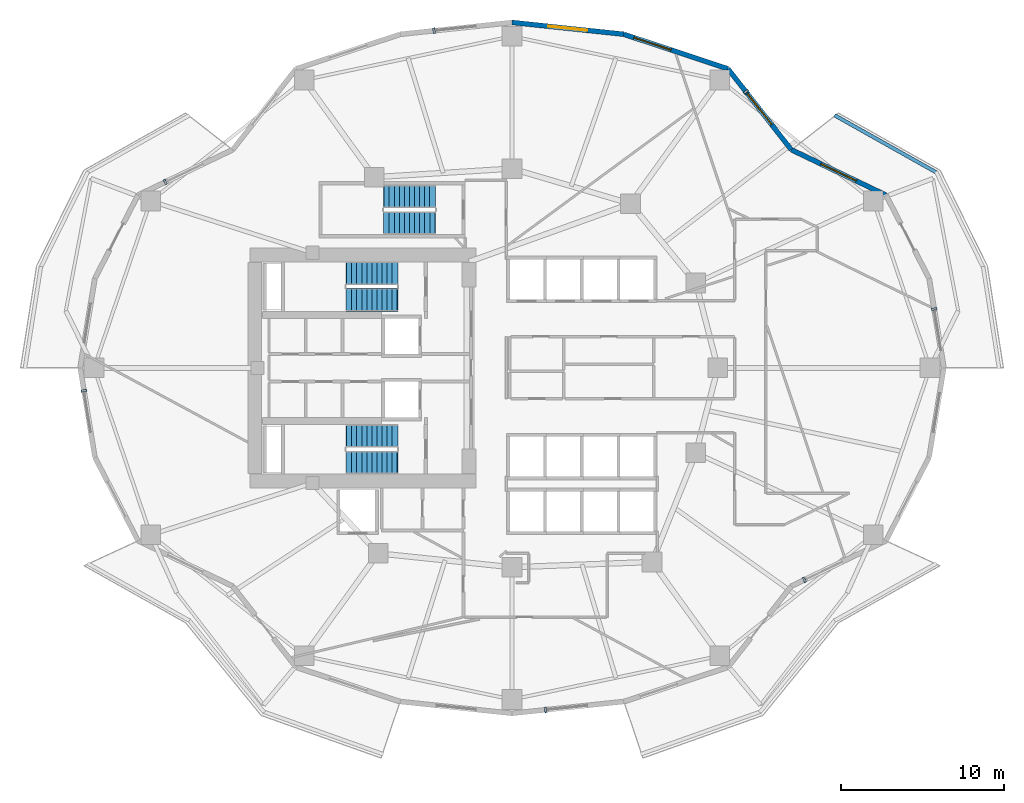
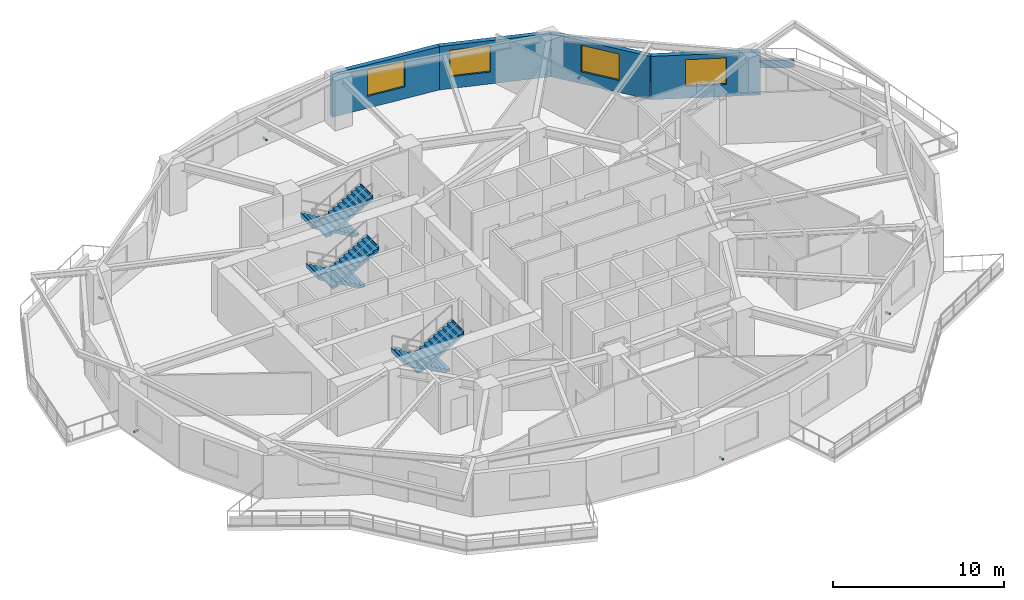
# One storey, part 7 of 11: 7 discrete accessories, 6 stair flights, 5 walls, 4 windows, 4 openings, 3 elements without a shape of their own.
"""IFC4 building model written with IfcOpenShell, lengths in metres."""

from ifc_helpers import new_model, si_unit, direction, frame, frame_2d, origin, origin_2d, place, context, subcontext, project, spatial, polyline, rectangle, outline, extrude, material, layer, layer_set, type_object, element, fill, aggregate, save


model = new_model("IFC4")

# Units and contexts
model_context = context("Model", 3, precision=1e-05, world=origin(), true_north=direction((0.0, 1.0)))
body_context = subcontext(model_context, "Body", "Model", "MODEL_VIEW")
ifc_project = project(units=[si_unit("LENGTHUNIT", "METRE"), si_unit("AREAUNIT", "SQUARE_METRE"), si_unit("VOLUMEUNIT", "CUBIC_METRE"), si_unit("PLANEANGLEUNIT", "RADIAN"), si_unit("MASSUNIT", "GRAM", prefix="KILO")], contexts=[model_context])

# Site, building, storey
site_placement = place(None, origin())
site = spatial("IfcSite", under=ifc_project, at=site_placement, CompositionType="ELEMENT")
building_placement = place(site_placement, origin())
building = spatial("IfcBuilding", under=site, at=building_placement, Name="Kolvaren Gate Tower and Convention Centre", CompositionType="ELEMENT")
storey_placement = place(building_placement, frame((0.0, 0.0, 88.10009765625)))
storey = spatial("IfcBuildingStorey", under=building, at=storey_placement, Name="L21", CompositionType="ELEMENT", Elevation=88.10009765625)

# Wall
ifc_material_1 = material(Name="Piedmont Cream Honed Limestone Cladding", Category="masonry")
ifc_layer_1 = layer(ifc_material_1, 0.219970703125)
ifc_layer_set_1 = layer_set([ifc_layer_1], Name="Piedmont Cream Honed Limestone Cladding")
wall_type_1 = type_object("IfcWallType", Name="ARCH-WL-PLANTER-220", PredefinedType="PARAPET", material=ifc_layer_set_1)
wall_1_placement = place(storey_placement, frame((49.867919921875, 42.469482421875, 0.0), z_axis=(0.0, 0.0, 1.0), x_axis=(0.871775109335, -0.489906275468, 0.0)))
element("IfcWall", 1, at=wall_1_placement, inside=storey, type_object=wall_type_1, Name="Vertical-Forest Balcony Stone Planter Kerb PK-L21-1.3", PredefinedType="PARAPET", context=body_context, shape_type="SweptSolid", body=[
    extrude(rectangle(XDim=7.152099609375, YDim=0.219970703125, at=frame_2d((3.576171875, 0.0))), origin(), (0.0, 0.0, 1.0), 0.52001953125),
])

# Wall, opening, window
ifc_layer_2 = layer(ifc_material_1, 0.300048828125)
ifc_layer_set_2 = layer_set([ifc_layer_2], Name="Piedmont Cream Honed Limestone Cladding")
wall_type_2 = type_object("IfcWallType", Name="ARCH-WL-STONE-300", PredefinedType="SOLIDWALL", material=ifc_layer_set_2)
wall_2_placement = place(storey_placement, frame((47.223876953125, 40.360107421875, 0.0), z_axis=(0.0, 0.0, 1.0), x_axis=(0.901354747727, -0.433081538224, 0.0)))
wall_2 = element("IfcWall", 2, at=wall_2_placement, inside=storey, type_object=wall_type_2, Name="Tower L21 Honed Stone Spandrel Wall EW-02", PredefinedType="SOLIDWALL", context=body_context, shape_type="SweptSolid", body=[
    extrude(rectangle(XDim=6.430908203125, YDim=0.300048828125, at=frame_2d((3.21533203125, 0.0))), origin(), (0.0, 0.0, 1.0), 3.093017578125),
])
opening_1_placement = place(wall_2_placement, frame((2.014892578125, 0.0, 0.85009765625)))
opening_1 = element("IfcOpeningElement", 3, at=opening_1_placement, cuts=wall_2, Name="Opening W-01", PredefinedType="OPENING", context=body_context, shape_type="SweptSolid", body=[
    extrude(rectangle(XDim=2.39990234375, YDim=1.89990234375, at=frame_2d((1.199951171875, 0.949951171875))), frame((0.0, 0.159912109375, 0.0), z_axis=(0.0, -1.0, 0.0), x_axis=(1.0, 0.0, 0.0)), (0.0, 0.0, 1.0), 0.320068359375),
])
ifc_material_2 = material(Name="Low-E Triple Insulated Glazing Unit 44 mm", Category="glass")
window_type = type_object("IfcWindowType", Name="ARCH-WN-OFF-2400", PartitioningType="SINGLE_PANEL", PredefinedType="WINDOW", material=ifc_material_2)
window_1_placement = place(opening_1_placement, origin())
window_1 = element("IfcWindow", 4, at=window_1_placement, inside=storey, type_object=window_type, Name="Tower L21 Punched Stone Facade Window W-02", OverallHeight=1.89990234375, OverallWidth=2.39990234375, PartitioningType="SINGLE_PANEL", PredefinedType="WINDOW", context=body_context, shape_type="SweptSolid", body=[
    extrude(rectangle(XDim=2.39990234375, YDim=1.89990234375, at=frame_2d((1.199951171875, 0.949951171875))), frame((0.0, 0.030029296875, 0.0), z_axis=(0.0, -1.0, 0.0), x_axis=(1.0, 0.0, 0.0)), (0.0, 0.0, 1.0), 0.06005859375),
])
fill(opening_1, window_1)

wall_3_placement = place(storey_placement, frame((43.34375, 45.31640625, 0.0), z_axis=(0.0, 0.0, 1.0), x_axis=(0.616434798832, -0.78740595552, 0.0)))
wall_3 = element("IfcWall", 5, at=wall_3_placement, inside=storey, type_object=wall_type_2, Name="Tower L21 Honed Stone Spandrel Wall EW-03", PredefinedType="SOLIDWALL", context=body_context, shape_type="SweptSolid", body=[
    extrude(rectangle(XDim=6.29443359375, YDim=0.300048828125, at=frame_2d((3.147216796875, 0.0))), origin(), (0.0, 0.0, 1.0), 3.093017578125),
])
opening_2_placement = place(wall_3_placement, frame((1.947021484375, 0.0, 0.85009765625)))
opening_2 = element("IfcOpeningElement", 6, at=opening_2_placement, cuts=wall_3, Name="Opening W-01", PredefinedType="OPENING", context=body_context, shape_type="SweptSolid", body=[
    extrude(rectangle(XDim=2.39990234375, YDim=1.89990234375, at=frame_2d((1.199951171875, 0.949951171875))), frame((0.0, 0.159912109375, 0.0), z_axis=(0.0, -1.0, 0.0), x_axis=(1.0, 0.0, 0.0)), (0.0, 0.0, 1.0), 0.320068359375),
])
window_2_placement = place(opening_2_placement, origin())
window_2 = element("IfcWindow", 7, at=window_2_placement, inside=storey, type_object=window_type, Name="Tower L21 Punched Stone Facade Window W-03", OverallHeight=1.89990234375, OverallWidth=2.39990234375, PartitioningType="SINGLE_PANEL", PredefinedType="WINDOW", context=body_context, shape_type="SweptSolid", body=[
    extrude(rectangle(XDim=2.39990234375, YDim=1.89990234375, at=frame_2d((1.199951171875, 0.949951171875))), frame((0.0, 0.030029296875, 0.0), z_axis=(0.0, -1.0, 0.0), x_axis=(1.0, 0.0, 0.0)), (0.0, 0.0, 1.0), 0.06005859375),
])
fill(opening_2, window_2)

wall_4_placement = place(storey_placement, frame((36.967529296875, 47.42919921875, 0.0), z_axis=(0.0, 0.0, 1.0), x_axis=(0.949245153629, -0.314537181127, 0.0)))
wall_4 = element("IfcWall", 8, at=wall_4_placement, inside=storey, type_object=wall_type_2, Name="Tower L21 Honed Stone Spandrel Wall EW-04", PredefinedType="SOLIDWALL", context=body_context, shape_type="SweptSolid", body=[
    extrude(rectangle(XDim=6.717041015625, YDim=0.300048828125, at=frame_2d((3.3583984375, 0.0))), origin(), (0.0, 0.0, 1.0), 3.093017578125),
])
opening_3_placement = place(wall_4_placement, frame((0.64990234375, 0.0, 0.85009765625)))
opening_3 = element("IfcOpeningElement", 9, at=opening_3_placement, cuts=wall_4, Name="Opening W-01", PredefinedType="OPENING", context=body_context, shape_type="SweptSolid", body=[
    extrude(rectangle(XDim=2.39990234375, YDim=1.89990234375, at=frame_2d((1.199951171875, 0.949951171875))), frame((0.0, 0.159912109375, 0.0), z_axis=(0.0, -1.0, 0.0), x_axis=(1.0, 0.0, 0.0)), (0.0, 0.0, 1.0), 0.320068359375),
])
window_3_placement = place(opening_3_placement, origin())
window_3 = element("IfcWindow", 10, at=window_3_placement, inside=storey, type_object=window_type, Name="Tower L21 Punched Stone Facade Window W-04", OverallHeight=1.89990234375, OverallWidth=2.39990234375, PartitioningType="SINGLE_PANEL", PredefinedType="WINDOW", context=body_context, shape_type="SweptSolid", body=[
    extrude(rectangle(XDim=2.39990234375, YDim=1.89990234375, at=frame_2d((1.199951171875, 0.949951171875))), frame((0.0, 0.030029296875, 0.0), z_axis=(0.0, -1.0, 0.0), x_axis=(1.0, 0.0, 0.0)), (0.0, 0.0, 1.0), 0.06005859375),
])
fill(opening_3, window_3)

wall_5_placement = place(storey_placement, frame((30.125, 48.14990234375, 0.0), z_axis=(0.0, 0.0, 1.0), x_axis=(0.994498840295, -0.104747585419, 0.0)))
wall_5 = element("IfcWall", 11, at=wall_5_placement, inside=storey, type_object=wall_type_2, Name="Tower L21 Honed Stone Spandrel Wall EW-05", PredefinedType="SOLIDWALL", context=body_context, shape_type="SweptSolid", body=[
    extrude(rectangle(XDim=6.88037109375, YDim=0.300048828125, at=frame_2d((3.440185546875, 0.0))), origin(), (0.0, 0.0, 1.0), 3.093017578125),
])
opening_4_placement = place(wall_5_placement, frame((2.239990234375, 0.0, 0.85009765625)))
opening_4 = element("IfcOpeningElement", 12, at=opening_4_placement, cuts=wall_5, Name="Opening W-01", PredefinedType="OPENING", context=body_context, shape_type="SweptSolid", body=[
    extrude(rectangle(XDim=2.39990234375, YDim=1.89990234375, at=frame_2d((1.199951171875, 0.949951171875))), frame((0.0, 0.159912109375, 0.0), z_axis=(0.0, -1.0, 0.0), x_axis=(1.0, 0.0, 0.0)), (0.0, 0.0, 1.0), 0.320068359375),
])
window_4_placement = place(opening_4_placement, origin())
window_4 = element("IfcWindow", 13, at=window_4_placement, inside=storey, type_object=window_type, Name="Tower L21 Punched Stone Facade Window W-05", OverallHeight=1.89990234375, OverallWidth=2.39990234375, PartitioningType="SINGLE_PANEL", PredefinedType="WINDOW", context=body_context, shape_type="SweptSolid", body=[
    extrude(rectangle(XDim=2.39990234375, YDim=1.89990234375, at=frame_2d((1.199951171875, 0.949951171875))), frame((0.0, 0.030029296875, 0.0), z_axis=(0.0, -1.0, 0.0), x_axis=(1.0, 0.0, 0.0)), (0.0, 0.0, 1.0), 0.06005859375),
])
fill(opening_4, window_4)

# Stair, stair flights
ifc_material_3 = material(Name="Concrete C50/60", Category="concrete")
stair_type = type_object("IfcStairType", Name="STR-STAIR-CORE", PredefinedType="HALF_TURN_STAIR", material=ifc_material_3)
stair_1_placement = place(storey_placement, origin())
stair_1 = element("IfcStair", 14, at=stair_1_placement, inside=storey, type_object=stair_type, Name="L21 Tower North Exit Stair ST-T1", PredefinedType="HALF_TURN_STAIR")
stair_flight_type = type_object("IfcStairFlightType", Name="STR-SFL-1420", PredefinedType="STRAIGHT", material=ifc_material_3)
stair_flight_1_placement = place(storey_placement, frame((23.10009765625, 32.7900390625, 0.0), z_axis=(0.0, 0.0, 1.0), x_axis=(-1.0, 0.0, 0.0)))
stair_flight_1 = element("IfcStairFlight", 15, at=stair_flight_1_placement, type_object=stair_flight_type, Name="ST-T1 flight 1", NumberOfRisers=11, NumberOfTreads=10, PredefinedType="STRAIGHT", RiserHeight=0.175, TreadLength=0.31, context=body_context, shape_type="SweptSolid", body=[
    extrude(outline(polyline([(-0.034912109375, 0.0), (-0.034912109375, 0.175048828125), (0.31005859375, 0.175048828125), (0.31005859375, 0.35009765625), (0.6201171875, 0.35009765625), (0.6201171875, 0.52490234375), (0.929931640625, 0.52490234375), (0.929931640625, 0.699951171875), (1.239990234375, 0.699951171875), (1.239990234375, 0.875), (1.550048828125, 0.875), (1.550048828125, 1.050048828125), (1.860107421875, 1.050048828125), (1.860107421875, 1.22509765625), (2.169921875, 1.22509765625), (2.169921875, 1.39990234375), (2.47998046875, 1.39990234375), (2.47998046875, 1.574951171875), (2.7900390625, 1.574951171875), (2.7900390625, 1.75), (3.10009765625, 1.75), (3.10009765625, 1.925048828125), (3.14501953125, 1.925048828125), (3.14501953125, 1.764892578125), (3.10009765625, 1.577880859375), (0.304931640625, 0.0), (-0.034912109375, 0.0)])), frame((0.0, 0.7099609375, 0.0), z_axis=(0.0, -1.0, 0.0), x_axis=(1.0, 0.0, 0.0)), (0.0, 0.0, 1.0), 1.419921875),
])
stair_flight_2_placement = place(storey_placement, frame((20.0, 31.169921875, 1.9248046875), z_axis=(0.0, 0.0, 1.0), x_axis=(1.0, 0.0, 0.0)))
stair_flight_2 = element("IfcStairFlight", 16, at=stair_flight_2_placement, type_object=stair_flight_type, Name="ST-T1 flight 2", NumberOfRisers=11, NumberOfTreads=10, PredefinedType="STRAIGHT", RiserHeight=0.175, TreadLength=0.31, context=body_context, shape_type="SweptSolid", body=[
    extrude(outline(polyline([(-0.034912109375, 0.0), (-0.034912109375, 0.175048828125), (0.31005859375, 0.175048828125), (0.31005859375, 0.35009765625), (0.6201171875, 0.35009765625), (0.6201171875, 0.52490234375), (0.929931640625, 0.52490234375), (0.929931640625, 0.699951171875), (1.239990234375, 0.699951171875), (1.239990234375, 0.875), (1.550048828125, 0.875), (1.550048828125, 1.050048828125), (1.860107421875, 1.050048828125), (1.860107421875, 1.22509765625), (2.169921875, 1.22509765625), (2.169921875, 1.39990234375), (2.47998046875, 1.39990234375), (2.47998046875, 1.574951171875), (2.7900390625, 1.574951171875), (2.7900390625, 1.75), (3.10009765625, 1.75), (3.10009765625, 1.925048828125), (3.14501953125, 1.925048828125), (3.14501953125, 1.764892578125), (3.10009765625, 1.577880859375), (0.304931640625, 0.0), (-0.034912109375, 0.0)])), frame((0.0, 0.7099609375, 0.0), z_axis=(0.0, -1.0, 0.0), x_axis=(1.0, 0.0, 0.0)), (0.0, 0.0, 1.0), 1.419921875),
])
aggregate(stair_1, [stair_flight_1, stair_flight_2])

stair_2_placement = place(storey_placement, origin())
stair_2 = element("IfcStair", 17, at=stair_2_placement, inside=storey, type_object=stair_type, Name="L21 Tower South Exit Stair ST-T2", PredefinedType="HALF_TURN_STAIR")
stair_flight_3_placement = place(storey_placement, frame((23.10009765625, 22.830078125, 0.0), z_axis=(0.0, 0.0, 1.0), x_axis=(-1.0, 0.0, 0.0)))
stair_flight_3 = element("IfcStairFlight", 18, at=stair_flight_3_placement, type_object=stair_flight_type, Name="ST-T2 flight 1", NumberOfRisers=11, NumberOfTreads=10, PredefinedType="STRAIGHT", RiserHeight=0.175, TreadLength=0.31, context=body_context, shape_type="SweptSolid", body=[
    extrude(outline(polyline([(-0.034912109375, 0.0), (-0.034912109375, 0.175048828125), (0.31005859375, 0.175048828125), (0.31005859375, 0.35009765625), (0.6201171875, 0.35009765625), (0.6201171875, 0.52490234375), (0.929931640625, 0.52490234375), (0.929931640625, 0.699951171875), (1.239990234375, 0.699951171875), (1.239990234375, 0.875), (1.550048828125, 0.875), (1.550048828125, 1.050048828125), (1.860107421875, 1.050048828125), (1.860107421875, 1.22509765625), (2.169921875, 1.22509765625), (2.169921875, 1.39990234375), (2.47998046875, 1.39990234375), (2.47998046875, 1.574951171875), (2.7900390625, 1.574951171875), (2.7900390625, 1.75), (3.10009765625, 1.75), (3.10009765625, 1.925048828125), (3.14501953125, 1.925048828125), (3.14501953125, 1.764892578125), (3.10009765625, 1.577880859375), (0.304931640625, 0.0), (-0.034912109375, 0.0)])), frame((0.0, 0.7099609375, 0.0), z_axis=(0.0, -1.0, 0.0), x_axis=(1.0, 0.0, 0.0)), (0.0, 0.0, 1.0), 1.419921875),
])
stair_flight_4_placement = place(storey_placement, frame((20.0, 21.2099609375, 1.9248046875), z_axis=(0.0, 0.0, 1.0), x_axis=(1.0, 0.0, 0.0)))
stair_flight_4 = element("IfcStairFlight", 19, at=stair_flight_4_placement, type_object=stair_flight_type, Name="ST-T2 flight 2", NumberOfRisers=11, NumberOfTreads=10, PredefinedType="STRAIGHT", RiserHeight=0.175, TreadLength=0.31, context=body_context, shape_type="SweptSolid", body=[
    extrude(outline(polyline([(-0.034912109375, 0.0), (-0.034912109375, 0.175048828125), (0.31005859375, 0.175048828125), (0.31005859375, 0.35009765625), (0.6201171875, 0.35009765625), (0.6201171875, 0.52490234375), (0.929931640625, 0.52490234375), (0.929931640625, 0.699951171875), (1.239990234375, 0.699951171875), (1.239990234375, 0.875), (1.550048828125, 0.875), (1.550048828125, 1.050048828125), (1.860107421875, 1.050048828125), (1.860107421875, 1.22509765625), (2.169921875, 1.22509765625), (2.169921875, 1.39990234375), (2.47998046875, 1.39990234375), (2.47998046875, 1.574951171875), (2.7900390625, 1.574951171875), (2.7900390625, 1.75), (3.10009765625, 1.75), (3.10009765625, 1.925048828125), (3.14501953125, 1.925048828125), (3.14501953125, 1.764892578125), (3.10009765625, 1.577880859375), (0.304931640625, 0.0), (-0.034912109375, 0.0)])), frame((0.0, 0.7099609375, 0.0), z_axis=(0.0, -1.0, 0.0), x_axis=(1.0, 0.0, 0.0)), (0.0, 0.0, 1.0), 1.419921875),
])
aggregate(stair_2, [stair_flight_3, stair_flight_4])

stair_3_placement = place(storey_placement, origin())
stair_3 = element("IfcStair", 20, at=stair_3_placement, inside=storey, type_object=stair_type, Name="L21 Tower Mid-Zone Exit Stair ST-T3", PredefinedType="HALF_TURN_STAIR")
stair_flight_5_placement = place(storey_placement, frame((25.39990234375, 37.489990234375, 0.0), z_axis=(0.0, 0.0, 1.0), x_axis=(-1.0, 0.0, 0.0)))
stair_flight_5 = element("IfcStairFlight", 21, at=stair_flight_5_placement, type_object=stair_flight_type, Name="ST-T3 flight 1", NumberOfRisers=11, NumberOfTreads=10, PredefinedType="STRAIGHT", RiserHeight=0.175, TreadLength=0.31, context=body_context, shape_type="SweptSolid", body=[
    extrude(outline(polyline([(-0.034912109375, 0.0), (-0.034912109375, 0.175048828125), (0.31005859375, 0.175048828125), (0.31005859375, 0.35009765625), (0.6201171875, 0.35009765625), (0.6201171875, 0.52490234375), (0.929931640625, 0.52490234375), (0.929931640625, 0.699951171875), (1.239990234375, 0.699951171875), (1.239990234375, 0.875), (1.550048828125, 0.875), (1.550048828125, 1.050048828125), (1.860107421875, 1.050048828125), (1.860107421875, 1.22509765625), (2.169921875, 1.22509765625), (2.169921875, 1.39990234375), (2.47998046875, 1.39990234375), (2.47998046875, 1.574951171875), (2.7900390625, 1.574951171875), (2.7900390625, 1.75), (3.10009765625, 1.75), (3.10009765625, 1.925048828125), (3.14501953125, 1.925048828125), (3.14501953125, 1.764892578125), (3.10009765625, 1.577880859375), (0.304931640625, 0.0), (-0.034912109375, 0.0)])), frame((0.0, 0.7099609375, 0.0), z_axis=(0.0, -1.0, 0.0), x_axis=(1.0, 0.0, 0.0)), (0.0, 0.0, 1.0), 1.419921875),
])
stair_flight_6_placement = place(storey_placement, frame((22.300048828125, 35.8701171875, 1.9248046875), z_axis=(0.0, 0.0, 1.0), x_axis=(1.0, 0.0, 0.0)))
stair_flight_6 = element("IfcStairFlight", 22, at=stair_flight_6_placement, type_object=stair_flight_type, Name="ST-T3 flight 2", NumberOfRisers=11, NumberOfTreads=10, PredefinedType="STRAIGHT", RiserHeight=0.175, TreadLength=0.31, context=body_context, shape_type="SweptSolid", body=[
    extrude(outline(polyline([(-0.034912109375, 0.0), (-0.034912109375, 0.175048828125), (0.31005859375, 0.175048828125), (0.31005859375, 0.35009765625), (0.6201171875, 0.35009765625), (0.6201171875, 0.52490234375), (0.929931640625, 0.52490234375), (0.929931640625, 0.699951171875), (1.239990234375, 0.699951171875), (1.239990234375, 0.875), (1.550048828125, 0.875), (1.550048828125, 1.050048828125), (1.860107421875, 1.050048828125), (1.860107421875, 1.22509765625), (2.169921875, 1.22509765625), (2.169921875, 1.39990234375), (2.47998046875, 1.39990234375), (2.47998046875, 1.574951171875), (2.7900390625, 1.574951171875), (2.7900390625, 1.75), (3.10009765625, 1.75), (3.10009765625, 1.925048828125), (3.14501953125, 1.925048828125), (3.14501953125, 1.764892578125), (3.10009765625, 1.577880859375), (0.304931640625, 0.0), (-0.034912109375, 0.0)])), frame((0.0, 0.7099609375, 0.0), z_axis=(0.0, -1.0, 0.0), x_axis=(1.0, 0.0, 0.0)), (0.0, 0.0, 1.0), 1.419921875),
])
aggregate(stair_3, [stair_flight_5, stair_flight_6])

# Discrete accessories
ifc_material_4 = material(Name="Anodized Architectural Aluminium Alloy 6063-T6", Category="aluminium")
discrete_accessory_type = type_object("IfcDiscreteAccessoryType", Name="ARCH-ACC-BRACKET-120", PredefinedType="BRACKET", material=ifc_material_4)
for number, where, z_axis, x_axis, name in (
    (23, (55.968505859375, 30.609130859375, 0.289794921875), (0.0, 0.0, 1.0), (0.162375401515, -0.986729055508, 0.0), "Ceramic Fin Wall Anchor Bracket FBK-L21-00"),
    (24, (44.4453125, 43.9091796875, 0.289794921875), (0.0, 0.0, 1.0), (0.616431370541, -0.787408639407, 0.0), "Ceramic Fin Wall Anchor Bracket FBK-L21-03"),
    (25, (25.35107421875, 47.647216796875, 0.289794921875), (0.0, 0.0, 1.0), (0.994498884311, 0.104747167526, 0.0), "Ceramic Fin Wall Anchor Bracket FBK-L21-06"),
    (26, (8.901611328125, 38.37841796875, 0.289794921875), (0.0, 0.0, 1.0), (0.901357634097, 0.433075530889, 0.0), "Ceramic Fin Wall Anchor Bracket FBK-L21-09"),
    (27, (3.9169921875, 25.604736328125, 0.289794921875), (0.0, 0.0, 1.0), (0.162375401515, -0.986729055508, 0.0), "Ceramic Fin Wall Anchor Bracket FBK-L21-12"),
    (28, (32.193603515625, 6.06787109375, 0.289794921875), (0.0, 0.0, 1.0), (0.994498884311, 0.104747167526, 0.0), "Ceramic Fin Wall Anchor Bracket FBK-L21-18"),
    (29, (48.026123046875, 14.025390625, 0.289794921875), (0.0, 0.0, 1.0), (0.901357634097, 0.433075530889, 0.0), "Ceramic Fin Wall Anchor Bracket FBK-L21-21"),
):
    element("IfcDiscreteAccessory", number, at=place(storey_placement, frame(where, z_axis=z_axis, x_axis=x_axis)), inside=storey, type_object=discrete_accessory_type, Name=name, PredefinedType="BRACKET", context=body_context, shape_type="SweptSolid", body=[
        extrude(rectangle(XDim=0.1201171875, YDim=0.320068359375, at=origin_2d()), origin(), (0.0, 0.0, 1.0), 0.1201171875),
    ])

save(model, "model.ifc")
